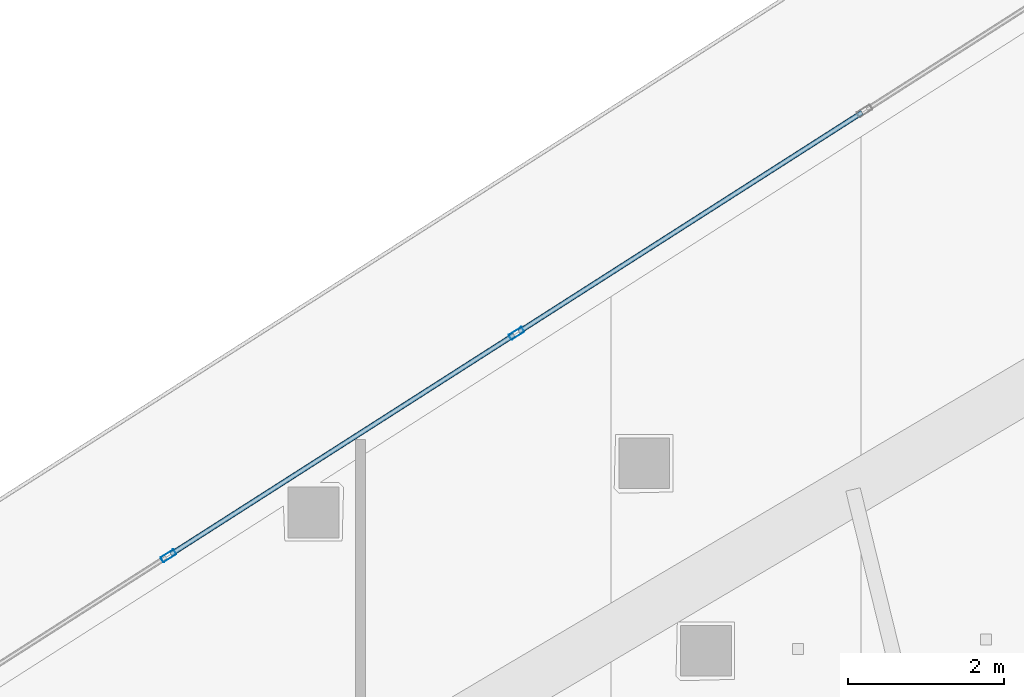
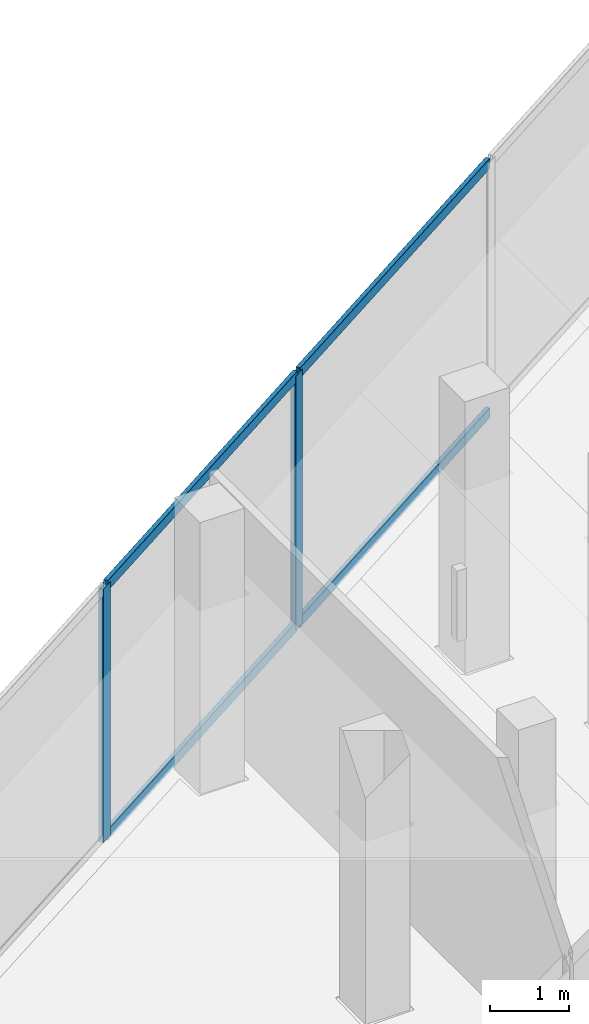
# One storey, part 16 of 44: 6 members, 1 element without a shape of its own.
"""IFC4 building model written with IfcOpenShell, lengths in metres."""

import ifcopenshell
import ifcopenshell.guid

model = None  # the IFC model being written
_history = None  # IfcOwnerHistory: only IFC2X3 demands one
_inside = {}  # id of a spatial element -> (the spatial element, [elements in it])
_under = {}  # id of a project, library or spatial element -> (it, [spatial elements below it])
_declared = {}  # id of a project -> (the project, [libraries it declares])
_typed = {}  # id of a type object -> (the type object, [elements of that type])
_made_of = {}  # id of a material, layer set ... -> (it, [elements and type objects made of it])


def new_model(schema):
    """Start an empty IFC model of exactly this schema.

    Asked for "IFC4X3", IfcOpenShell would pick the latest addendum, in which some entities
    have other attributes; the version numbers below select the first issue.
    IFC2X3 requires an IfcOwnerHistory on every rooted entity: one is made here for all.
    """
    global model, _history
    if schema == "IFC4X3":
        model = ifcopenshell.file(schema_version=(4, 3, 0, 0))
    else:
        model = ifcopenshell.file(schema=schema)
    _inside.clear()
    _under.clear()
    _declared.clear()
    _typed.clear()
    _made_of.clear()
    _history = None
    if model.schema == "IFC2X3":
        org = make("IfcOrganization", Name="unknown")
        user = make(
            "IfcPersonAndOrganization",
            ThePerson=make("IfcPerson", FamilyName="unknown"),
            TheOrganization=org,
        )
        app = make(
            "IfcApplication",
            ApplicationDeveloper=org,
            Version="unknown",
            ApplicationFullName="unknown",
            ApplicationIdentifier="unknown",
        )
        _history = make(
            "IfcOwnerHistory",
            OwningUser=user,
            OwningApplication=app,
            ChangeAction="ADDED",
            CreationDate=0,
        )
    return model


def make(cls, **values):
    """One entity of the class cls with the attributes given. An attribute that is None is left unset."""
    return model.create_entity(
        cls, **{name: value for name, value in values.items() if value is not None}
    )


def rooted(cls, **values):
    """An entity with a GlobalId (a new one), such as an element, a storey or a relation."""
    return make(cls, GlobalId=ifcopenshell.guid.new(), OwnerHistory=_history, **values)


def si_unit(unit_type, name, prefix=None):
    """IfcSIUnit, for example si_unit("LENGTHUNIT", "METRE", prefix="MILLI")."""
    return make("IfcSIUnit", UnitType=unit_type, Prefix=prefix, Name=name)


def assignment(units):
    """IfcUnitAssignment: the units of a project."""
    return None if units is None else make("IfcUnitAssignment", Units=units)


def point(xyz):
    """IfcCartesianPoint."""
    return None if xyz is None else make("IfcCartesianPoint", Coordinates=xyz)


def direction(xyz):
    """IfcDirection."""
    return None if xyz is None else make("IfcDirection", DirectionRatios=xyz)


def frame(location, z_axis=None, x_axis=None):
    """IfcAxis2Placement3D, a coordinate frame: its origin and axes. An axis left out is left unset."""
    return make(
        "IfcAxis2Placement3D",
        Location=point(location),
        Axis=direction(z_axis),
        RefDirection=direction(x_axis),
    )


def frame_2d(location, x_axis=None):
    """IfcAxis2Placement2D, a coordinate frame in the plane: its origin and x axis."""
    return make(
        "IfcAxis2Placement2D", Location=point(location), RefDirection=direction(x_axis)
    )


def origin():
    """The frame at (0, 0, 0) with its axes left unset."""
    return frame((0.0, 0.0, 0.0))


def origin_2d():
    """The frame at (0, 0) in the plane with its x axis left unset."""
    return frame_2d((0.0, 0.0))


def place(relative_to, where):
    """IfcLocalPlacement: puts the frame where relative to a parent placement (None: the world)."""
    return make(
        "IfcLocalPlacement", PlacementRelTo=relative_to, RelativePlacement=where
    )


def context(
    kind, dimensions, precision=None, world=None, true_north=None, identifier=None
):
    """IfcGeometricRepresentationContext, for example the 3D "Model" context."""
    return make(
        "IfcGeometricRepresentationContext",
        ContextIdentifier=identifier,
        ContextType=kind,
        CoordinateSpaceDimension=dimensions,
        Precision=precision,
        WorldCoordinateSystem=world,
        TrueNorth=true_north,
    )


def subcontext(parent, identifier, kind, view, scale=None):
    """IfcGeometricRepresentationSubContext, for example "Body" below "Model"."""
    return make(
        "IfcGeometricRepresentationSubContext",
        ContextIdentifier=identifier,
        ContextType=kind,
        ParentContext=parent,
        TargetScale=scale,
        TargetView=view,
    )


def project(units=None, contexts=None):
    """IfcProject with its units and contexts."""
    return rooted(
        "IfcProject",
        Name="project",
        RepresentationContexts=contexts,
        UnitsInContext=assignment(units),
    )


def spatial(cls, under=None, at=None, **own):
    """A site, building, storey or space (cls), placed at a placement, below another one or the project."""
    s = rooted(cls, ObjectPlacement=at, **own)
    if under is not None:
        _under.setdefault(under.id(), (under, []))[1].append(s)
    return s


def profile(cls, at=None, kind="AREA", **sizes):
    """A parametric profile (cls). Its sizes go by their IFC names, for example OverallWidth=200.0."""
    return make(cls, ProfileType=kind, Position=at, **sizes)


def hollow_rectangle(**sizes):
    """IfcRectangleHollowProfileDef."""
    return profile("IfcRectangleHollowProfileDef", **sizes)


def extrude(swept, where, along, depth):
    """IfcExtrudedAreaSolid: the profile swept, set in the frame where, extruded along a direction by depth."""
    return make(
        "IfcExtrudedAreaSolid",
        SweptArea=swept,
        Position=where,
        ExtrudedDirection=direction(along),
        Depth=depth,
    )


def shape(context_of_items, identifier, shape_type, items):
    """IfcShapeRepresentation: the items that make up one representation, for example the "Body"."""
    return make(
        "IfcShapeRepresentation",
        ContextOfItems=context_of_items,
        RepresentationIdentifier=identifier,
        RepresentationType=shape_type,
        Items=items,
    )


def material(Name=None, Category=None):
    """IfcMaterial."""
    return make("IfcMaterial", Name=Name, Category=Category)


def layer(
    of_material, thickness, ventilated=None, Name=None, Category=None, Priority=None
):
    """IfcMaterialLayer: one layer of a wall or slab, of a material (None: an air gap)."""
    return make(
        "IfcMaterialLayer",
        Material=of_material,
        LayerThickness=thickness,
        IsVentilated=ventilated,
        Name=Name,
        Category=Category,
        Priority=Priority,
    )


def layer_set(layers, Name=None):
    """IfcMaterialLayerSet."""
    return make("IfcMaterialLayerSet", MaterialLayers=layers, LayerSetName=Name)


def material_profile(
    of_material, cross_section, Name=None, Category=None, Priority=None
):
    """IfcMaterialProfile: a cross section and its material."""
    return make(
        "IfcMaterialProfile",
        Name=Name,
        Material=of_material,
        Profile=cross_section,
        Priority=Priority,
        Category=Category,
    )


def profile_set(profiles, Name=None, composite=None):
    """IfcMaterialProfileSet."""
    return make(
        "IfcMaterialProfileSet",
        Name=Name,
        MaterialProfiles=profiles,
        CompositeProfile=composite,
    )


def made_of(thing, what):
    """Note that an element or type object is made of a material, layer set ...; save() writes the relation."""
    if what is not None:
        _made_of.setdefault(what.id(), (what, []))[1].append(thing)
    return thing


def type_object(cls, material=None, **own):
    """A type object (cls), such as IfcWallType, which elements share."""
    return made_of(rooted(cls, **own), material)


def element(
    cls,
    number,
    at=None,
    inside=None,
    cuts=None,
    type_object=None,
    material=None,
    context=None,
    identifier="Body",
    shape_type=None,
    held_by="IfcProductDefinitionShape",
    body=None,
    shapes=None,
    **own,
):
    """One element of the class cls, such as IfcWall. Its Tag is "e" and its number.

    at: its placement. inside: the storey or other place that contains it. cuts: it is an
    opening in that element (IfcRelVoidsElement). A single representation is given by context,
    identifier, shape_type and body (its items); several are given by shapes. held_by: the class
    of the entity that holds the representations. save() writes the other relations.
    """
    e = rooted(cls, Tag="e%d" % number, ObjectPlacement=at, **own)
    if body is not None:
        shapes = [shape(context, identifier, shape_type, body)]
    if shapes is not None:
        e.Representation = make(held_by, Representations=shapes)
    if inside is not None:
        _inside.setdefault(inside.id(), (inside, []))[1].append(e)
    if cuts is not None:
        rooted(
            "IfcRelVoidsElement", RelatingBuildingElement=cuts, RelatedOpeningElement=e
        )
    if type_object is not None:
        _typed.setdefault(type_object.id(), (type_object, []))[1].append(e)
    return made_of(e, material)


def aggregate(whole, parts):
    """IfcRelAggregates: a whole, such as a stair, and the parts it consists of."""
    return rooted("IfcRelAggregates", RelatingObject=whole, RelatedObjects=parts)


def save(model, path):
    """Write the relations noted so far, then the file.

    IfcRelAggregates (storeys below a building ...), IfcRelContainedInSpatialStructure (elements
    in a storey), IfcRelDefinesByType, IfcRelAssociatesMaterial and IfcRelDeclares: one each for
    every whole, place, type object, material and project.
    """
    for whole, parts in _under.values():
        aggregate(whole, parts)
    for where, things in _inside.values():
        rooted(
            "IfcRelContainedInSpatialStructure",
            RelatedElements=things,
            RelatingStructure=where,
        )
    for kind, things in _typed.values():
        rooted("IfcRelDefinesByType", RelatedObjects=things, RelatingType=kind)
    for what, things in _made_of.values():
        rooted("IfcRelAssociatesMaterial", RelatedObjects=things, RelatingMaterial=what)
    for by, libraries in _declared.values():
        rooted("IfcRelDeclares", RelatingContext=by, RelatedDefinitions=libraries)
    model.write(path)


model = new_model("IFC4")

# Units and contexts
model_context = context("Model", 3, precision=1e-05, world=origin(), true_north=direction((0.0, 1.0)))
body_context = subcontext(model_context, "Body", "Model", "MODEL_VIEW")
ifc_project = project(units=[si_unit("LENGTHUNIT", "METRE"), si_unit("AREAUNIT", "SQUARE_METRE"), si_unit("VOLUMEUNIT", "CUBIC_METRE"), si_unit("PLANEANGLEUNIT", "RADIAN"), si_unit("MASSUNIT", "GRAM", prefix="KILO")], contexts=[model_context])

# Site, building, storey
site_placement = place(None, origin())
site = spatial("IfcSite", under=ifc_project, at=site_placement, CompositionType="ELEMENT")
building_placement = place(site_placement, origin())
building = spatial("IfcBuilding", under=site, at=building_placement, Name="Qorvath Tower", CompositionType="ELEMENT")
storey_placement = place(building_placement, frame((0.0, 0.0, 78.60009765625)))
storey = spatial("IfcBuildingStorey", under=building, at=storey_placement, Name="L17", CompositionType="ELEMENT", Elevation=78.60009765625)

# Curtain wall, members
ifc_material_1 = material(Name="Anodised aluminium and triple low-E glass", Category="aluminium")
ifc_layer = layer(ifc_material_1, 0.179931640625)
ifc_layer_set = layer_set([ifc_layer], Name="CW-SYS-5")
curtain_wall_type = type_object("IfcCurtainWallType", Name="CW-SYS-5", PredefinedType="NOTDEFINED", material=ifc_layer_set)
curtain_wall_placement = place(storey_placement, origin())
curtain_wall = element("IfcCurtainWall", 1, at=curtain_wall_placement, inside=storey, type_object=curtain_wall_type, Name="Curtain Wall CW-5 CW-T-L17-4.1", PredefinedType="NOTDEFINED")
ifc_material_2 = material(Name="Anodised aluminium 6063-T6", Category="aluminium")
ifc_material_profile_1 = material_profile(ifc_material_2, hollow_rectangle(XDim=0.074951171875, YDim=0.199951171875, WallThickness=0.00390625, InnerFilletRadius=0.00390625, OuterFilletRadius=0.008056640625, at=origin_2d()), Name="CWM 200x75")
ifc_profile_set_1 = profile_set([ifc_material_profile_1], Name="Anodised aluminium 6063-T6")
member_type_1 = type_object("IfcMemberType", Name="CWM-200", PredefinedType="MULLION", material=ifc_profile_set_1)
member_1_placement = place(storey_placement, frame((-32.65185546875, 21.123291015625, 0.0), z_axis=(0.0, 0.0, 1.0), x_axis=(0.538533373675, -0.842604180763, 0.0)))
member_1 = element("IfcMember", 2, at=member_1_placement, type_object=member_type_1, Name="CW-5 mullion 4", PredefinedType="MULLION", context=body_context, shape_type="SweptSolid", body=[
    extrude(hollow_rectangle(XDim=0.074951171875, YDim=0.199951171875, WallThickness=0.00390625, InnerFilletRadius=0.00390625, OuterFilletRadius=0.008056640625, at=origin_2d()), origin(), (0.0, 0.0, 1.0), 3.919921875),
])
member_2_placement = place(storey_placement, frame((-37.109130859375, 18.2744140625, 0.0), z_axis=(0.0, 0.0, 1.0), x_axis=(0.538533373675, -0.842604180763, 0.0)))
member_2 = element("IfcMember", 3, at=member_2_placement, type_object=member_type_1, Name="CW-5 mullion 5", PredefinedType="MULLION", context=body_context, shape_type="SweptSolid", body=[
    extrude(hollow_rectangle(XDim=0.074951171875, YDim=0.199951171875, WallThickness=0.00390625, InnerFilletRadius=0.00390625, OuterFilletRadius=0.008056640625, at=origin_2d()), origin(), (0.0, 0.0, 1.0), 3.919921875),
])
ifc_material_3 = material(Name="Anodised aluminium 6063-T6", Category="aluminium")
ifc_material_profile_2 = material_profile(ifc_material_3, hollow_rectangle(XDim=0.06494140625, YDim=0.159912109375, WallThickness=0.00341796875, InnerFilletRadius=0.00341796875, OuterFilletRadius=0.007080078125, at=origin_2d()), Name="CWT 160x65")
ifc_profile_set_2 = profile_set([ifc_material_profile_2], Name="Anodised aluminium 6063-T6")
member_type_2 = type_object("IfcMemberType", Name="CWT-160", PredefinedType="USERDEFINED", material=ifc_profile_set_2)
member_3_placement = place(storey_placement, frame((-28.226318359375, 23.951904296875, 0.032470703125), z_axis=(-0.842605385104, -0.538531489324, 0.0), x_axis=(0.538531489324, -0.842605385104, 0.0)))
member_3 = element("IfcMember", 4, at=member_3_placement, type_object=member_type_2, Name="CW-5 transom 3.1", ObjectType="TRANSOM", PredefinedType="USERDEFINED", context=body_context, shape_type="SweptSolid", body=[
    extrude(hollow_rectangle(XDim=0.06494140625, YDim=0.159912109375, WallThickness=0.00341796875, InnerFilletRadius=0.00341796875, OuterFilletRadius=0.007080078125, at=origin_2d()), origin(), (0.0, 0.0, 1.0), 5.21484375),
])
member_4_placement = place(storey_placement, frame((-28.226318359375, 23.951904296875, 3.887451171875), z_axis=(-0.842605385104, -0.538531489324, 0.0), x_axis=(0.538531489324, -0.842605385104, 0.0)))
member_4 = element("IfcMember", 5, at=member_4_placement, type_object=member_type_2, Name="CW-5 transom 3.2", ObjectType="TRANSOM", PredefinedType="USERDEFINED", context=body_context, shape_type="SweptSolid", body=[
    extrude(hollow_rectangle(XDim=0.06494140625, YDim=0.159912109375, WallThickness=0.00341796875, InnerFilletRadius=0.00341796875, OuterFilletRadius=0.007080078125, at=origin_2d()), origin(), (0.0, 0.0, 1.0), 5.21484375),
])
member_5_placement = place(storey_placement, frame((-32.68359375, 21.10302734375, 0.032470703125), z_axis=(-0.842605385104, -0.538531489324, 0.0), x_axis=(0.538531489324, -0.842605385104, 0.0)))
member_5 = element("IfcMember", 6, at=member_5_placement, type_object=member_type_2, Name="CW-5 transom 4.1", ObjectType="TRANSOM", PredefinedType="USERDEFINED", context=body_context, shape_type="SweptSolid", body=[
    extrude(hollow_rectangle(XDim=0.06494140625, YDim=0.159912109375, WallThickness=0.00341796875, InnerFilletRadius=0.00341796875, OuterFilletRadius=0.007080078125, at=origin_2d()), origin(), (0.0, 0.0, 1.0), 5.21484375),
])
member_6_placement = place(storey_placement, frame((-32.68359375, 21.10302734375, 3.887451171875), z_axis=(-0.842605385104, -0.538531489324, 0.0), x_axis=(0.538531489324, -0.842605385104, 0.0)))
member_6 = element("IfcMember", 7, at=member_6_placement, type_object=member_type_2, Name="CW-5 transom 4.2", ObjectType="TRANSOM", PredefinedType="USERDEFINED", context=body_context, shape_type="SweptSolid", body=[
    extrude(hollow_rectangle(XDim=0.06494140625, YDim=0.159912109375, WallThickness=0.00341796875, InnerFilletRadius=0.00341796875, OuterFilletRadius=0.007080078125, at=origin_2d()), origin(), (0.0, 0.0, 1.0), 5.21484375),
])
aggregate(curtain_wall, [member_1, member_2, member_3, member_4, member_5, member_6])

save(model, "model.ifc")
